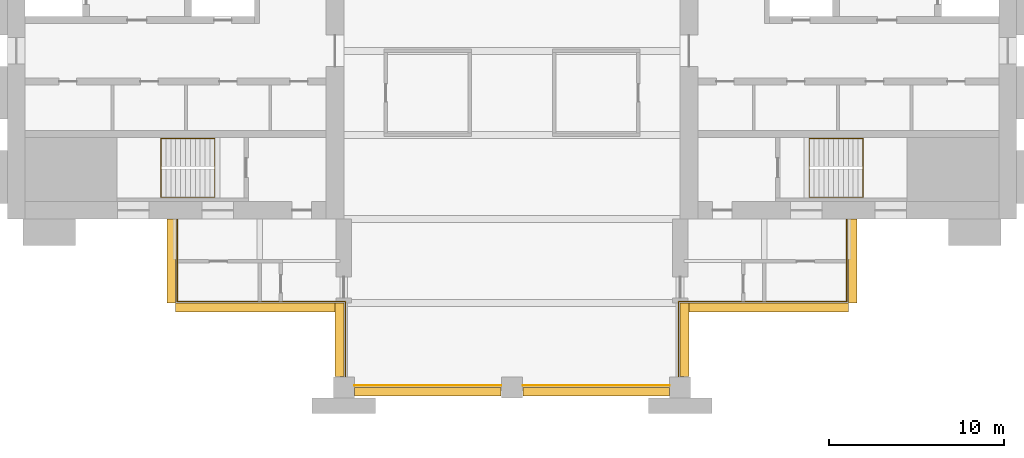
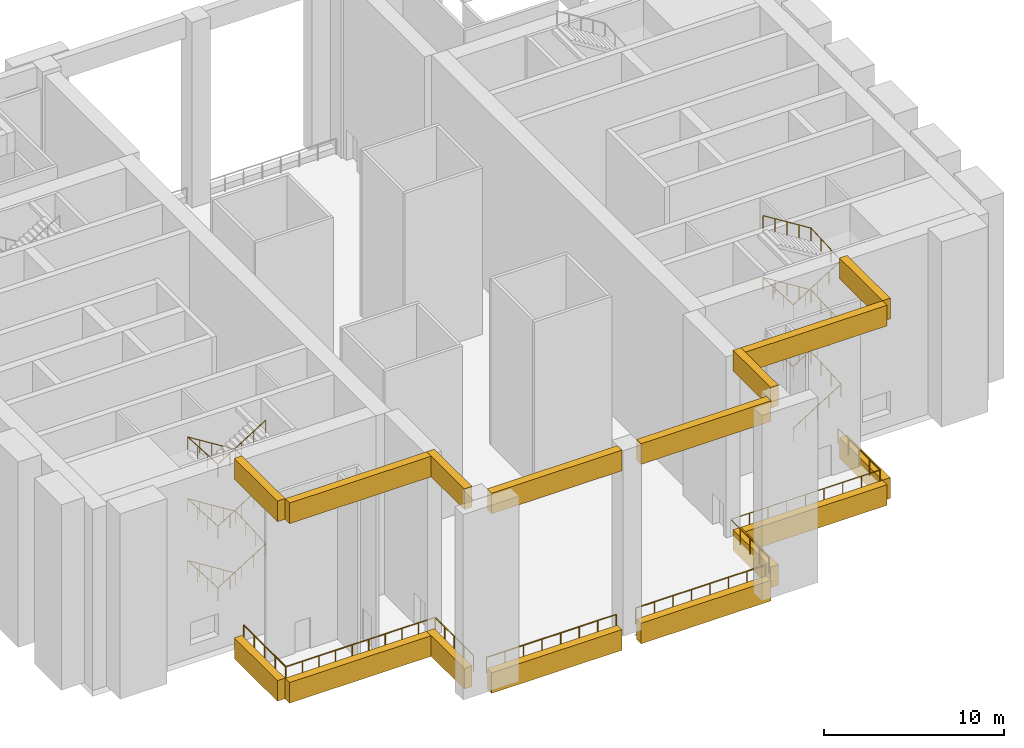
# One storey, part 7 of 9: 16 coverings, 6 railings.
"""IFC4 building model written with IfcOpenShell, lengths in metres."""

import ifcopenshell
import ifcopenshell.guid

model = None  # the IFC model being written
_history = None  # IfcOwnerHistory: only IFC2X3 demands one
_inside = {}  # id of a spatial element -> (the spatial element, [elements in it])
_under = {}  # id of a project, library or spatial element -> (it, [spatial elements below it])
_declared = {}  # id of a project -> (the project, [libraries it declares])
_typed = {}  # id of a type object -> (the type object, [elements of that type])
_made_of = {}  # id of a material, layer set ... -> (it, [elements and type objects made of it])


def new_model(schema):
    """Start an empty IFC model of exactly this schema.

    Asked for "IFC4X3", IfcOpenShell would pick the latest addendum, in which some entities
    have other attributes; the version numbers below select the first issue.
    IFC2X3 requires an IfcOwnerHistory on every rooted entity: one is made here for all.
    """
    global model, _history
    if schema == "IFC4X3":
        model = ifcopenshell.file(schema_version=(4, 3, 0, 0))
    else:
        model = ifcopenshell.file(schema=schema)
    _inside.clear()
    _under.clear()
    _declared.clear()
    _typed.clear()
    _made_of.clear()
    _history = None
    if model.schema == "IFC2X3":
        org = make("IfcOrganization", Name="unknown")
        user = make(
            "IfcPersonAndOrganization",
            ThePerson=make("IfcPerson", FamilyName="unknown"),
            TheOrganization=org,
        )
        app = make(
            "IfcApplication",
            ApplicationDeveloper=org,
            Version="unknown",
            ApplicationFullName="unknown",
            ApplicationIdentifier="unknown",
        )
        _history = make(
            "IfcOwnerHistory",
            OwningUser=user,
            OwningApplication=app,
            ChangeAction="ADDED",
            CreationDate=0,
        )
    return model


def make(cls, **values):
    """One entity of the class cls with the attributes given. An attribute that is None is left unset."""
    return model.create_entity(
        cls, **{name: value for name, value in values.items() if value is not None}
    )


def rooted(cls, **values):
    """An entity with a GlobalId (a new one), such as an element, a storey or a relation."""
    return make(cls, GlobalId=ifcopenshell.guid.new(), OwnerHistory=_history, **values)


def si_unit(unit_type, name, prefix=None):
    """IfcSIUnit, for example si_unit("LENGTHUNIT", "METRE", prefix="MILLI")."""
    return make("IfcSIUnit", UnitType=unit_type, Prefix=prefix, Name=name)


def assignment(units):
    """IfcUnitAssignment: the units of a project."""
    return None if units is None else make("IfcUnitAssignment", Units=units)


def point(xyz):
    """IfcCartesianPoint."""
    return None if xyz is None else make("IfcCartesianPoint", Coordinates=xyz)


def direction(xyz):
    """IfcDirection."""
    return None if xyz is None else make("IfcDirection", DirectionRatios=xyz)


def frame(location, z_axis=None, x_axis=None):
    """IfcAxis2Placement3D, a coordinate frame: its origin and axes. An axis left out is left unset."""
    return make(
        "IfcAxis2Placement3D",
        Location=point(location),
        Axis=direction(z_axis),
        RefDirection=direction(x_axis),
    )


def frame_2d(location, x_axis=None):
    """IfcAxis2Placement2D, a coordinate frame in the plane: its origin and x axis."""
    return make(
        "IfcAxis2Placement2D", Location=point(location), RefDirection=direction(x_axis)
    )


def origin():
    """The frame at (0, 0, 0) with its axes left unset."""
    return frame((0.0, 0.0, 0.0))


def origin_2d():
    """The frame at (0, 0) in the plane with its x axis left unset."""
    return frame_2d((0.0, 0.0))


def place(relative_to, where):
    """IfcLocalPlacement: puts the frame where relative to a parent placement (None: the world)."""
    return make(
        "IfcLocalPlacement", PlacementRelTo=relative_to, RelativePlacement=where
    )


def context(
    kind, dimensions, precision=None, world=None, true_north=None, identifier=None
):
    """IfcGeometricRepresentationContext, for example the 3D "Model" context."""
    return make(
        "IfcGeometricRepresentationContext",
        ContextIdentifier=identifier,
        ContextType=kind,
        CoordinateSpaceDimension=dimensions,
        Precision=precision,
        WorldCoordinateSystem=world,
        TrueNorth=true_north,
    )


def subcontext(parent, identifier, kind, view, scale=None):
    """IfcGeometricRepresentationSubContext, for example "Body" below "Model"."""
    return make(
        "IfcGeometricRepresentationSubContext",
        ContextIdentifier=identifier,
        ContextType=kind,
        ParentContext=parent,
        TargetScale=scale,
        TargetView=view,
    )


def project(units=None, contexts=None):
    """IfcProject with its units and contexts."""
    return rooted(
        "IfcProject",
        Name="project",
        RepresentationContexts=contexts,
        UnitsInContext=assignment(units),
    )


def spatial(cls, under=None, at=None, **own):
    """A site, building, storey or space (cls), placed at a placement, below another one or the project."""
    s = rooted(cls, ObjectPlacement=at, **own)
    if under is not None:
        _under.setdefault(under.id(), (under, []))[1].append(s)
    return s


def polyline(points):
    """IfcPolyline through the points."""
    return make("IfcPolyline", Points=[point(p) for p in points])


def profile(cls, at=None, kind="AREA", **sizes):
    """A parametric profile (cls). Its sizes go by their IFC names, for example OverallWidth=200.0."""
    return make(cls, ProfileType=kind, Position=at, **sizes)


def circle(**sizes):
    """IfcCircleProfileDef."""
    return profile("IfcCircleProfileDef", **sizes)


def outline(outer, holes=None, kind="AREA"):
    """IfcArbitraryClosedProfileDef: a profile drawn as a closed curve; with holes, ...WithVoids."""
    if holes is None:
        return make("IfcArbitraryClosedProfileDef", ProfileType=kind, OuterCurve=outer)
    return make(
        "IfcArbitraryProfileDefWithVoids",
        ProfileType=kind,
        OuterCurve=outer,
        InnerCurves=holes,
    )


def extrude(swept, where, along, depth):
    """IfcExtrudedAreaSolid: the profile swept, set in the frame where, extruded along a direction by depth."""
    return make(
        "IfcExtrudedAreaSolid",
        SweptArea=swept,
        Position=where,
        ExtrudedDirection=direction(along),
        Depth=depth,
    )


def shape(context_of_items, identifier, shape_type, items):
    """IfcShapeRepresentation: the items that make up one representation, for example the "Body"."""
    return make(
        "IfcShapeRepresentation",
        ContextOfItems=context_of_items,
        RepresentationIdentifier=identifier,
        RepresentationType=shape_type,
        Items=items,
    )


def material(Name=None, Category=None):
    """IfcMaterial."""
    return make("IfcMaterial", Name=Name, Category=Category)


def made_of(thing, what):
    """Note that an element or type object is made of a material, layer set ...; save() writes the relation."""
    if what is not None:
        _made_of.setdefault(what.id(), (what, []))[1].append(thing)
    return thing


def type_object(cls, material=None, **own):
    """A type object (cls), such as IfcWallType, which elements share."""
    return made_of(rooted(cls, **own), material)


def element(
    cls,
    number,
    at=None,
    inside=None,
    cuts=None,
    type_object=None,
    material=None,
    context=None,
    identifier="Body",
    shape_type=None,
    held_by="IfcProductDefinitionShape",
    body=None,
    shapes=None,
    **own,
):
    """One element of the class cls, such as IfcWall. Its Tag is "e" and its number.

    at: its placement. inside: the storey or other place that contains it. cuts: it is an
    opening in that element (IfcRelVoidsElement). A single representation is given by context,
    identifier, shape_type and body (its items); several are given by shapes. held_by: the class
    of the entity that holds the representations. save() writes the other relations.
    """
    e = rooted(cls, Tag="e%d" % number, ObjectPlacement=at, **own)
    if body is not None:
        shapes = [shape(context, identifier, shape_type, body)]
    if shapes is not None:
        e.Representation = make(held_by, Representations=shapes)
    if inside is not None:
        _inside.setdefault(inside.id(), (inside, []))[1].append(e)
    if cuts is not None:
        rooted(
            "IfcRelVoidsElement", RelatingBuildingElement=cuts, RelatedOpeningElement=e
        )
    if type_object is not None:
        _typed.setdefault(type_object.id(), (type_object, []))[1].append(e)
    return made_of(e, material)


def aggregate(whole, parts):
    """IfcRelAggregates: a whole, such as a stair, and the parts it consists of."""
    return rooted("IfcRelAggregates", RelatingObject=whole, RelatedObjects=parts)


def save(model, path):
    """Write the relations noted so far, then the file.

    IfcRelAggregates (storeys below a building ...), IfcRelContainedInSpatialStructure (elements
    in a storey), IfcRelDefinesByType, IfcRelAssociatesMaterial and IfcRelDeclares: one each for
    every whole, place, type object, material and project.
    """
    for whole, parts in _under.values():
        aggregate(whole, parts)
    for where, things in _inside.values():
        rooted(
            "IfcRelContainedInSpatialStructure",
            RelatedElements=things,
            RelatingStructure=where,
        )
    for kind, things in _typed.values():
        rooted("IfcRelDefinesByType", RelatedObjects=things, RelatingType=kind)
    for what, things in _made_of.values():
        rooted("IfcRelAssociatesMaterial", RelatedObjects=things, RelatingMaterial=what)
    for by, libraries in _declared.values():
        rooted("IfcRelDeclares", RelatingContext=by, RelatedDefinitions=libraries)
    model.write(path)


model = new_model("IFC4")

# Units and contexts
model_context = context("Model", 3, precision=1e-05, world=origin(), true_north=direction((0.0, 1.0)))
body_context = subcontext(model_context, "Body", "Model", "MODEL_VIEW")
ifc_project = project(units=[si_unit("LENGTHUNIT", "METRE"), si_unit("AREAUNIT", "SQUARE_METRE"), si_unit("VOLUMEUNIT", "CUBIC_METRE"), si_unit("PLANEANGLEUNIT", "RADIAN"), si_unit("MASSUNIT", "GRAM", prefix="KILO")], contexts=[model_context])

# Site, building, storey
site_placement = place(None, origin())
site = spatial("IfcSite", under=ifc_project, at=site_placement, CompositionType="ELEMENT")
building_placement = place(site_placement, origin())
building = spatial("IfcBuilding", under=site, at=building_placement, Name="Baori Bourse Tower", CompositionType="ELEMENT")
storey_placement = place(building_placement, frame((0.0, 0.0, 180.60009765625)))
storey = spatial("IfcBuildingStorey", under=building, at=storey_placement, Name="L40", CompositionType="ELEMENT", Elevation=180.60009765625)

# Railings
ifc_material_1 = material(Name="Powder-coated steel balustrade", Category="steel")
railing_type_1 = type_object("IfcRailingType", Name="Core stair handrail", PredefinedType="HANDRAIL", material=ifc_material_1)
railing_1_placement = place(storey_placement, frame((11.85009765625, 14.199951171875, 0.1748046875)))
element("IfcRailing", 1, at=railing_1_placement, inside=storey, type_object=railing_type_1, Name="L40 ST1 stair handrail 1", PredefinedType="HANDRAIL", context=body_context, shape_type="SweptSolid", body=[
    extrude(circle(Radius=0.02392578125, at=origin_2d()), frame((0.0, 0.0, 0.8759765625), z_axis=(-0.847998304005, 0.0, 0.529998940003), x_axis=(0.0, -1.0, 0.0)), (0.0, 0.0, 1.0), 3.632080078125),
    extrude(circle(Radius=0.02392578125, at=origin_2d()), frame((-3.080078125, 0.0, 2.80078125), z_axis=(0.0, -0.99863746249, 0.052184466191), x_axis=(1.0, 0.0, 0.0)), (0.0, 0.0, 1.0), 3.3544921875),
    extrude(circle(Radius=0.02392578125, at=origin_2d()), frame((-3.080078125, -3.349853515625, 2.97607421875), z_axis=(0.847998304005, 0.0, 0.529998940003), x_axis=(0.0, 1.0, 0.0)), (0.0, 0.0, 1.0), 3.632080078125),
    extrude(circle(Radius=0.02392578125, at=origin_2d()), frame((0.0, -3.349853515625, 4.90087890625), z_axis=(0.0, 0.99863746249, 0.052184466191), x_axis=(-1.0, 0.0, 0.0)), (0.0, 0.0, 1.0), 3.3544921875),
    extrude(circle(Radius=0.02392578125, at=origin_2d()), frame((0.0, 0.0, 5.076171875), z_axis=(-0.848028513186, 0.0, 0.529950602248), x_axis=(0.0, -1.0, 0.0)), (0.0, 0.0, 1.0), 3.632080078125),
    extrude(circle(Radius=0.02392578125, at=origin_2d()), frame((-3.080078125, 0.0, 7.0009765625), z_axis=(0.0, -0.99863746249, 0.052184466191), x_axis=(1.0, 0.0, 0.0)), (0.0, 0.0, 1.0), 3.3544921875),
    extrude(circle(Radius=0.02392578125, at=origin_2d()), frame((-3.080078125, -3.349853515625, 7.17578125), z_axis=(0.847998304005, 0.0, 0.529998940003), x_axis=(0.0, 1.0, 0.0)), (0.0, 0.0, 1.0), 3.632080078125),
    extrude(circle(Radius=0.02392578125, at=origin_2d()), frame((0.0, -3.349853515625, 9.10107421875), z_axis=(0.0, 0.99863746249, 0.052184466191), x_axis=(-1.0, 0.0, 0.0)), (0.0, 0.0, 1.0), 3.3544921875),
    extrude(circle(Radius=0.02392578125, at=origin_2d()), frame((0.0, 0.0, 9.27587890625), z_axis=(-0.847998304005, 0.0, 0.529998940003), x_axis=(0.0, -1.0, 0.0)), (0.0, 0.0, 1.0), 3.632080078125),
    extrude(circle(Radius=0.02392578125, at=origin_2d()), frame((-3.080078125, 0.0, 11.201171875), z_axis=(0.0, -0.998641252765, 0.052111882296), x_axis=(1.0, 0.0, 0.0)), (0.0, 0.0, 1.0), 3.3544921875),
    extrude(circle(Radius=0.02392578125, at=origin_2d()), frame((-3.080078125, -3.349853515625, 11.3759765625), z_axis=(0.847998304005, 0.0, 0.529998940003), x_axis=(0.0, 1.0, 0.0)), (0.0, 0.0, 1.0), 3.632080078125),
    extrude(circle(Radius=0.02099609375, at=origin_2d()), origin(), (0.0, 0.0, 1.0), 0.851806640625),
    extrude(circle(Radius=0.02099609375, at=origin_2d()), frame((-0.77001953125, 0.0, 0.481201171875)), (0.0, 0.0, 1.0), 0.851806640625),
    extrude(circle(Radius=0.02099609375, at=origin_2d()), frame((-1.5400390625, 0.0, 0.96240234375)), (0.0, 0.0, 1.0), 0.851806640625),
    extrude(circle(Radius=0.02099609375, at=origin_2d()), frame((-2.31005859375, 0.0, 1.44384765625)), (0.0, 0.0, 1.0), 0.851806640625),
    extrude(circle(Radius=0.02099609375, at=origin_2d()), frame((-3.080078125, 0.0, 1.925048828125)), (0.0, 0.0, 1.0), 0.851806640625),
    extrude(circle(Radius=0.02099609375, at=origin_2d()), frame((-3.080078125, -1.11669921875, 1.9833984375)), (0.0, 0.0, 1.0), 0.851806640625),
    extrude(circle(Radius=0.02099609375, at=origin_2d()), frame((-3.080078125, -2.233154296875, 2.041748046875)), (0.0, 0.0, 1.0), 0.851806640625),
    extrude(circle(Radius=0.02099609375, at=origin_2d()), frame((-3.080078125, -3.349853515625, 2.10009765625)), (0.0, 0.0, 1.0), 0.851806640625),
    extrude(circle(Radius=0.02099609375, at=origin_2d()), frame((-2.31005859375, -3.349853515625, 2.581298828125)), (0.0, 0.0, 1.0), 0.851806640625),
    extrude(circle(Radius=0.02099609375, at=origin_2d()), frame((-1.5400390625, -3.349853515625, 3.0625)), (0.0, 0.0, 1.0), 0.851806640625),
    extrude(circle(Radius=0.02099609375, at=origin_2d()), frame((-0.77001953125, -3.349853515625, 3.5439453125)), (0.0, 0.0, 1.0), 0.851806640625),
    extrude(circle(Radius=0.02099609375, at=origin_2d()), frame((0.0, -3.349853515625, 4.025146484375)), (0.0, 0.0, 1.0), 0.851806640625),
    extrude(circle(Radius=0.02099609375, at=origin_2d()), frame((0.0, -2.233154296875, 4.08349609375)), (0.0, 0.0, 1.0), 0.851806640625),
    extrude(circle(Radius=0.02099609375, at=origin_2d()), frame((0.0, -1.11669921875, 4.141845703125)), (0.0, 0.0, 1.0), 0.851806640625),
    extrude(circle(Radius=0.02099609375, at=origin_2d()), frame((0.0, 0.0, 4.2001953125)), (0.0, 0.0, 1.0), 0.851806640625),
    extrude(circle(Radius=0.02099609375, at=origin_2d()), frame((-0.77001953125, 0.0, 4.681396484375)), (0.0, 0.0, 1.0), 0.851806640625),
    extrude(circle(Radius=0.02099609375, at=origin_2d()), frame((-1.5400390625, 0.0, 5.16259765625)), (0.0, 0.0, 1.0), 0.851806640625),
    extrude(circle(Radius=0.02099609375, at=origin_2d()), frame((-2.31005859375, 0.0, 5.643798828125)), (0.0, 0.0, 1.0), 0.851806640625),
    extrude(circle(Radius=0.02099609375, at=origin_2d()), frame((-3.080078125, 0.0, 6.125)), (0.0, 0.0, 1.0), 0.851806640625),
    extrude(circle(Radius=0.02099609375, at=origin_2d()), frame((-3.080078125, -1.11669921875, 6.183349609375)), (0.0, 0.0, 1.0), 0.851806640625),
    extrude(circle(Radius=0.02099609375, at=origin_2d()), frame((-3.080078125, -2.233154296875, 6.24169921875)), (0.0, 0.0, 1.0), 0.851806640625),
    extrude(circle(Radius=0.02099609375, at=origin_2d()), frame((-3.080078125, -3.349853515625, 6.300048828125)), (0.0, 0.0, 1.0), 0.851806640625),
    extrude(circle(Radius=0.02099609375, at=origin_2d()), frame((-2.31005859375, -3.349853515625, 6.78125)), (0.0, 0.0, 1.0), 0.851806640625),
    extrude(circle(Radius=0.02099609375, at=origin_2d()), frame((-1.5400390625, -3.349853515625, 7.2626953125)), (0.0, 0.0, 1.0), 0.851806640625),
    extrude(circle(Radius=0.02099609375, at=origin_2d()), frame((-0.77001953125, -3.349853515625, 7.743896484375)), (0.0, 0.0, 1.0), 0.851806640625),
    extrude(circle(Radius=0.02099609375, at=origin_2d()), frame((0.0, -3.349853515625, 8.22509765625)), (0.0, 0.0, 1.0), 0.851806640625),
    extrude(circle(Radius=0.02099609375, at=origin_2d()), frame((0.0, -2.233154296875, 8.283447265625)), (0.0, 0.0, 1.0), 0.851806640625),
    extrude(circle(Radius=0.02099609375, at=origin_2d()), frame((0.0, -1.11669921875, 8.341796875)), (0.0, 0.0, 1.0), 0.851806640625),
    extrude(circle(Radius=0.02099609375, at=origin_2d()), frame((0.0, 0.0, 8.400146484375)), (0.0, 0.0, 1.0), 0.851806640625),
    extrude(circle(Radius=0.02099609375, at=origin_2d()), frame((-0.77001953125, 0.0, 8.88134765625)), (0.0, 0.0, 1.0), 0.851806640625),
    extrude(circle(Radius=0.02099609375, at=origin_2d()), frame((-1.5400390625, 0.0, 9.36279296875)), (0.0, 0.0, 1.0), 0.851806640625),
    extrude(circle(Radius=0.02099609375, at=origin_2d()), frame((-2.31005859375, 0.0, 9.843994140625)), (0.0, 0.0, 1.0), 0.851806640625),
    extrude(circle(Radius=0.02099609375, at=origin_2d()), frame((-3.080078125, 0.0, 10.3251953125)), (0.0, 0.0, 1.0), 0.851806640625),
    extrude(circle(Radius=0.02099609375, at=origin_2d()), frame((-3.080078125, -1.11669921875, 10.383544921875)), (0.0, 0.0, 1.0), 0.851806640625),
    extrude(circle(Radius=0.02099609375, at=origin_2d()), frame((-3.080078125, -2.233154296875, 10.441650390625)), (0.0, 0.0, 1.0), 0.851806640625),
    extrude(circle(Radius=0.02099609375, at=origin_2d()), frame((-3.080078125, -3.349853515625, 10.5)), (0.0, 0.0, 1.0), 0.851806640625),
    extrude(circle(Radius=0.02099609375, at=origin_2d()), frame((-2.31005859375, -3.349853515625, 10.981201171875)), (0.0, 0.0, 1.0), 0.851806640625),
    extrude(circle(Radius=0.02099609375, at=origin_2d()), frame((-1.5400390625, -3.349853515625, 11.46240234375)), (0.0, 0.0, 1.0), 0.851806640625),
    extrude(circle(Radius=0.02099609375, at=origin_2d()), frame((-0.77001953125, -3.349853515625, 11.94384765625)), (0.0, 0.0, 1.0), 0.851806640625),
    extrude(circle(Radius=0.02099609375, at=origin_2d()), frame((0.0, -3.349853515625, 12.425048828125)), (0.0, 0.0, 1.0), 0.851806640625),
])
railing_2_placement = place(storey_placement, frame((45.75, 10.85009765625, 0.1748046875)))
element("IfcRailing", 2, at=railing_2_placement, inside=storey, type_object=railing_type_1, Name="L40 ST3 stair handrail 1", PredefinedType="HANDRAIL", context=body_context, shape_type="SweptSolid", body=[
    extrude(circle(Radius=0.02392578125, at=origin_2d()), frame((0.0, 0.0, 0.8759765625), z_axis=(0.847998304005, 0.0, 0.529998940003), x_axis=(0.0, 1.0, 0.0)), (0.0, 0.0, 1.0), 3.632080078125),
    extrude(circle(Radius=0.02392578125, at=origin_2d()), frame((3.080078125, 0.0, 2.80078125), z_axis=(0.0, 0.99863746249, 0.052184466191), x_axis=(-1.0, 0.0, 0.0)), (0.0, 0.0, 1.0), 3.3544921875),
    extrude(circle(Radius=0.02392578125, at=origin_2d()), frame((3.080078125, 3.349853515625, 2.97607421875), z_axis=(-0.847998304005, 0.0, 0.529998940003), x_axis=(0.0, -1.0, 0.0)), (0.0, 0.0, 1.0), 3.632080078125),
    extrude(circle(Radius=0.02392578125, at=origin_2d()), frame((0.0, 3.349853515625, 4.90087890625), z_axis=(0.0, -0.99863746249, 0.052184466191), x_axis=(1.0, 0.0, 0.0)), (0.0, 0.0, 1.0), 3.3544921875),
    extrude(circle(Radius=0.02392578125, at=origin_2d()), frame((0.0, 0.0, 5.076171875), z_axis=(0.848028513186, 0.0, 0.529950602248), x_axis=(0.0, 1.0, 0.0)), (0.0, 0.0, 1.0), 3.632080078125),
    extrude(circle(Radius=0.02392578125, at=origin_2d()), frame((3.080078125, 0.0, 7.0009765625), z_axis=(0.0, 0.99863746249, 0.052184466191), x_axis=(-1.0, 0.0, 0.0)), (0.0, 0.0, 1.0), 3.3544921875),
    extrude(circle(Radius=0.02392578125, at=origin_2d()), frame((3.080078125, 3.349853515625, 7.17578125), z_axis=(-0.847998304005, 0.0, 0.529998940003), x_axis=(0.0, -1.0, 0.0)), (0.0, 0.0, 1.0), 3.632080078125),
    extrude(circle(Radius=0.02392578125, at=origin_2d()), frame((0.0, 3.349853515625, 9.10107421875), z_axis=(0.0, -0.99863746249, 0.052184466191), x_axis=(1.0, 0.0, 0.0)), (0.0, 0.0, 1.0), 3.3544921875),
    extrude(circle(Radius=0.02392578125, at=origin_2d()), frame((0.0, 0.0, 9.27587890625), z_axis=(0.847998304005, 0.0, 0.529998940003), x_axis=(0.0, 1.0, 0.0)), (0.0, 0.0, 1.0), 3.632080078125),
    extrude(circle(Radius=0.02392578125, at=origin_2d()), frame((3.080078125, 0.0, 11.201171875), z_axis=(0.0, 0.998641252765, 0.052111882296), x_axis=(-1.0, 0.0, 0.0)), (0.0, 0.0, 1.0), 3.3544921875),
    extrude(circle(Radius=0.02392578125, at=origin_2d()), frame((3.080078125, 3.349853515625, 11.3759765625), z_axis=(-0.847998304005, 0.0, 0.529998940003), x_axis=(0.0, -1.0, 0.0)), (0.0, 0.0, 1.0), 3.632080078125),
    extrude(circle(Radius=0.02099609375, at=origin_2d()), origin(), (0.0, 0.0, 1.0), 0.851806640625),
    extrude(circle(Radius=0.02099609375, at=origin_2d()), frame((0.77001953125, 0.0, 0.481201171875)), (0.0, 0.0, 1.0), 0.851806640625),
    extrude(circle(Radius=0.02099609375, at=origin_2d()), frame((1.5400390625, 0.0, 0.96240234375)), (0.0, 0.0, 1.0), 0.851806640625),
    extrude(circle(Radius=0.02099609375, at=origin_2d()), frame((2.31005859375, 0.0, 1.44384765625)), (0.0, 0.0, 1.0), 0.851806640625),
    extrude(circle(Radius=0.02099609375, at=origin_2d()), frame((3.080078125, 0.0, 1.925048828125)), (0.0, 0.0, 1.0), 0.851806640625),
    extrude(circle(Radius=0.02099609375, at=origin_2d()), frame((3.080078125, 1.11669921875, 1.9833984375)), (0.0, 0.0, 1.0), 0.851806640625),
    extrude(circle(Radius=0.02099609375, at=origin_2d()), frame((3.080078125, 2.233154296875, 2.041748046875)), (0.0, 0.0, 1.0), 0.851806640625),
    extrude(circle(Radius=0.02099609375, at=origin_2d()), frame((3.080078125, 3.349853515625, 2.10009765625)), (0.0, 0.0, 1.0), 0.851806640625),
    extrude(circle(Radius=0.02099609375, at=origin_2d()), frame((2.31005859375, 3.349853515625, 2.581298828125)), (0.0, 0.0, 1.0), 0.851806640625),
    extrude(circle(Radius=0.02099609375, at=origin_2d()), frame((1.5400390625, 3.349853515625, 3.0625)), (0.0, 0.0, 1.0), 0.851806640625),
    extrude(circle(Radius=0.02099609375, at=origin_2d()), frame((0.77001953125, 3.349853515625, 3.5439453125)), (0.0, 0.0, 1.0), 0.851806640625),
    extrude(circle(Radius=0.02099609375, at=origin_2d()), frame((0.0, 3.349853515625, 4.025146484375)), (0.0, 0.0, 1.0), 0.851806640625),
    extrude(circle(Radius=0.02099609375, at=origin_2d()), frame((0.0, 2.233154296875, 4.08349609375)), (0.0, 0.0, 1.0), 0.851806640625),
    extrude(circle(Radius=0.02099609375, at=origin_2d()), frame((0.0, 1.11669921875, 4.141845703125)), (0.0, 0.0, 1.0), 0.851806640625),
    extrude(circle(Radius=0.02099609375, at=origin_2d()), frame((0.0, 0.0, 4.2001953125)), (0.0, 0.0, 1.0), 0.851806640625),
    extrude(circle(Radius=0.02099609375, at=origin_2d()), frame((0.77001953125, 0.0, 4.681396484375)), (0.0, 0.0, 1.0), 0.851806640625),
    extrude(circle(Radius=0.02099609375, at=origin_2d()), frame((1.5400390625, 0.0, 5.16259765625)), (0.0, 0.0, 1.0), 0.851806640625),
    extrude(circle(Radius=0.02099609375, at=origin_2d()), frame((2.31005859375, 0.0, 5.643798828125)), (0.0, 0.0, 1.0), 0.851806640625),
    extrude(circle(Radius=0.02099609375, at=origin_2d()), frame((3.080078125, 0.0, 6.125)), (0.0, 0.0, 1.0), 0.851806640625),
    extrude(circle(Radius=0.02099609375, at=origin_2d()), frame((3.080078125, 1.11669921875, 6.183349609375)), (0.0, 0.0, 1.0), 0.851806640625),
    extrude(circle(Radius=0.02099609375, at=origin_2d()), frame((3.080078125, 2.233154296875, 6.24169921875)), (0.0, 0.0, 1.0), 0.851806640625),
    extrude(circle(Radius=0.02099609375, at=origin_2d()), frame((3.080078125, 3.349853515625, 6.300048828125)), (0.0, 0.0, 1.0), 0.851806640625),
    extrude(circle(Radius=0.02099609375, at=origin_2d()), frame((2.31005859375, 3.349853515625, 6.78125)), (0.0, 0.0, 1.0), 0.851806640625),
    extrude(circle(Radius=0.02099609375, at=origin_2d()), frame((1.5400390625, 3.349853515625, 7.2626953125)), (0.0, 0.0, 1.0), 0.851806640625),
    extrude(circle(Radius=0.02099609375, at=origin_2d()), frame((0.77001953125, 3.349853515625, 7.743896484375)), (0.0, 0.0, 1.0), 0.851806640625),
    extrude(circle(Radius=0.02099609375, at=origin_2d()), frame((0.0, 3.349853515625, 8.22509765625)), (0.0, 0.0, 1.0), 0.851806640625),
    extrude(circle(Radius=0.02099609375, at=origin_2d()), frame((0.0, 2.233154296875, 8.283447265625)), (0.0, 0.0, 1.0), 0.851806640625),
    extrude(circle(Radius=0.02099609375, at=origin_2d()), frame((0.0, 1.11669921875, 8.341796875)), (0.0, 0.0, 1.0), 0.851806640625),
    extrude(circle(Radius=0.02099609375, at=origin_2d()), frame((0.0, 0.0, 8.400146484375)), (0.0, 0.0, 1.0), 0.851806640625),
    extrude(circle(Radius=0.02099609375, at=origin_2d()), frame((0.77001953125, 0.0, 8.88134765625)), (0.0, 0.0, 1.0), 0.851806640625),
    extrude(circle(Radius=0.02099609375, at=origin_2d()), frame((1.5400390625, 0.0, 9.36279296875)), (0.0, 0.0, 1.0), 0.851806640625),
    extrude(circle(Radius=0.02099609375, at=origin_2d()), frame((2.31005859375, 0.0, 9.843994140625)), (0.0, 0.0, 1.0), 0.851806640625),
    extrude(circle(Radius=0.02099609375, at=origin_2d()), frame((3.080078125, 0.0, 10.3251953125)), (0.0, 0.0, 1.0), 0.851806640625),
    extrude(circle(Radius=0.02099609375, at=origin_2d()), frame((3.080078125, 1.11669921875, 10.383544921875)), (0.0, 0.0, 1.0), 0.851806640625),
    extrude(circle(Radius=0.02099609375, at=origin_2d()), frame((3.080078125, 2.233154296875, 10.441650390625)), (0.0, 0.0, 1.0), 0.851806640625),
    extrude(circle(Radius=0.02099609375, at=origin_2d()), frame((3.080078125, 3.349853515625, 10.5)), (0.0, 0.0, 1.0), 0.851806640625),
    extrude(circle(Radius=0.02099609375, at=origin_2d()), frame((2.31005859375, 3.349853515625, 10.981201171875)), (0.0, 0.0, 1.0), 0.851806640625),
    extrude(circle(Radius=0.02099609375, at=origin_2d()), frame((1.5400390625, 3.349853515625, 11.46240234375)), (0.0, 0.0, 1.0), 0.851806640625),
    extrude(circle(Radius=0.02099609375, at=origin_2d()), frame((0.77001953125, 3.349853515625, 11.94384765625)), (0.0, 0.0, 1.0), 0.851806640625),
    extrude(circle(Radius=0.02099609375, at=origin_2d()), frame((0.0, 3.349853515625, 12.425048828125)), (0.0, 0.0, 1.0), 0.851806640625),
])

# Coverings
ifc_material_2 = material(Name="Pale anodised aluminium", Category="aluminium")
covering_type = type_object("IfcCoveringType", Name="ED2 Portal fascia band", PredefinedType="CLADDING", material=ifc_material_2)
for number, where, name in (
    (3, (0.0, 0.0, -1.0), "Portal fascia band deck L40 21"),
    (4, (0.0, 0.0, 11.199951171875), "Portal fascia band head L40 22"),
):
    element("IfcCovering", number, at=place(storey_placement, frame(where)), inside=storey, type_object=covering_type, Name=name, PredefinedType="CLADDING", context=body_context, shape_type="SweptSolid", body=[
        extrude(outline(polyline([(9.60009765625, 4.800048828125), (9.60009765625, 9.60009765625), (9.10009765625, 9.60009765625), (9.10009765625, 4.800048828125), (9.60009765625, 4.800048828125)])), origin(), (0.0, 0.0, 1.0), 1.39990234375),
    ])
for number, where, name in (
    (5, (0.0, 0.0, -1.0), "Portal fascia band deck L40 23"),
    (6, (0.0, 0.0, 11.199951171875), "Portal fascia band head L40 24"),
):
    element("IfcCovering", number, at=place(storey_placement, frame(where)), inside=storey, type_object=covering_type, Name=name, PredefinedType="CLADDING", context=body_context, shape_type="SweptSolid", body=[
        extrude(outline(polyline([(19.199951171875, 4.800048828125), (9.60009765625, 4.800048828125), (9.60009765625, 4.300048828125), (19.199951171875, 4.300048828125), (19.199951171875, 4.800048828125)])), origin(), (0.0, 0.0, 1.0), 1.39990234375),
    ])
for number, where, name in (
    (7, (0.0, 0.0, -1.0), "Portal fascia band deck L40 25"),
    (8, (0.0, 0.0, 11.199951171875), "Portal fascia band head L40 26"),
):
    element("IfcCovering", number, at=place(storey_placement, frame(where)), inside=storey, type_object=covering_type, Name=name, PredefinedType="CLADDING", context=body_context, shape_type="SweptSolid", body=[
        extrude(outline(polyline([(19.199951171875, 0.6201171875), (19.199951171875, 4.800048828125), (18.699951171875, 4.800048828125), (18.699951171875, 0.6201171875), (19.199951171875, 0.6201171875)])), origin(), (0.0, 0.0, 1.0), 1.39990234375),
    ])
for number, where, name in (
    (9, (0.0, 0.0, -1.0), "Portal fascia band deck L40 27"),
    (10, (0.0, 0.0, 11.199951171875), "Portal fascia band head L40 28"),
):
    element("IfcCovering", number, at=place(storey_placement, frame(where)), inside=storey, type_object=covering_type, Name=name, PredefinedType="CLADDING", context=body_context, shape_type="SweptSolid", body=[
        extrude(outline(polyline([(28.179931640625, 0.0), (19.820068359375, 0.0), (19.820068359375, -0.5), (28.179931640625, -0.5), (28.179931640625, 0.0)])), origin(), (0.0, 0.0, 1.0), 1.39990234375),
    ])
for number, where, name in (
    (11, (0.0, 0.0, -1.0), "Portal fascia band deck L40 29"),
    (12, (0.0, 0.0, 11.199951171875), "Portal fascia band head L40 30"),
):
    element("IfcCovering", number, at=place(storey_placement, frame(where)), inside=storey, type_object=covering_type, Name=name, PredefinedType="CLADDING", context=body_context, shape_type="SweptSolid", body=[
        extrude(outline(polyline([(37.780029296875, 0.0), (29.419921875, 0.0), (29.419921875, -0.5), (37.780029296875, -0.5), (37.780029296875, 0.0)])), origin(), (0.0, 0.0, 1.0), 1.39990234375),
    ])
for number, where, name in (
    (13, (0.0, 0.0, -1.0), "Portal fascia band deck L40 31"),
    (14, (0.0, 0.0, 11.199951171875), "Portal fascia band head L40 32"),
):
    element("IfcCovering", number, at=place(storey_placement, frame(where)), inside=storey, type_object=covering_type, Name=name, PredefinedType="CLADDING", context=body_context, shape_type="SweptSolid", body=[
        extrude(outline(polyline([(38.39990234375, 4.800048828125), (38.39990234375, 0.6201171875), (38.89990234375, 0.6201171875), (38.89990234375, 4.800048828125), (38.39990234375, 4.800048828125)])), origin(), (0.0, 0.0, 1.0), 1.39990234375),
    ])
for number, where, name in (
    (15, (0.0, 0.0, -1.0), "Portal fascia band deck L40 33"),
    (16, (0.0, 0.0, 11.199951171875), "Portal fascia band head L40 34"),
):
    element("IfcCovering", number, at=place(storey_placement, frame(where)), inside=storey, type_object=covering_type, Name=name, PredefinedType="CLADDING", context=body_context, shape_type="SweptSolid", body=[
        extrude(outline(polyline([(48.0, 4.800048828125), (38.39990234375, 4.800048828125), (38.39990234375, 4.300048828125), (48.0, 4.300048828125), (48.0, 4.800048828125)])), origin(), (0.0, 0.0, 1.0), 1.39990234375),
    ])
for number, where, name in (
    (17, (0.0, 0.0, -1.0), "Portal fascia band deck L40 35"),
    (18, (0.0, 0.0, 11.199951171875), "Portal fascia band head L40 36"),
):
    element("IfcCovering", number, at=place(storey_placement, frame(where)), inside=storey, type_object=covering_type, Name=name, PredefinedType="CLADDING", context=body_context, shape_type="SweptSolid", body=[
        extrude(outline(polyline([(48.0, 9.60009765625), (48.0, 4.800048828125), (48.5, 4.800048828125), (48.5, 9.60009765625), (48.0, 9.60009765625)])), origin(), (0.0, 0.0, 1.0), 1.39990234375),
    ])

# Railings
ifc_material_3 = material(Name="Stainless steel", Category="steel")
railing_type_2 = type_object("IfcRailingType", Name="GD1 Guard", PredefinedType="GUARDRAIL", material=ifc_material_3)
railing_3_placement = place(storey_placement, frame((9.699951171875, 9.570068359375, 0.0)))
element("IfcRailing", 19, at=railing_3_placement, inside=storey, type_object=railing_type_2, Name="Guard sky deck L40 7", PredefinedType="GUARDRAIL", context=body_context, shape_type="SweptSolid", body=[
    extrude(circle(Radius=0.02392578125, at=origin_2d()), frame((0.0, 0.0, 1.076171875), z_axis=(0.0, -1.0, 0.0), x_axis=(1.0, 0.0, 0.0)), (0.0, 0.0, 1.0), 4.670166015625),
    extrude(circle(Radius=0.02392578125, at=origin_2d()), frame((0.0, -4.670166015625, 1.076171875), z_axis=(1.0, 0.0, 0.0), x_axis=(0.0, 1.0, 0.0)), (0.0, 0.0, 1.0), 9.60009765625),
    extrude(circle(Radius=0.02392578125, at=origin_2d()), frame((9.60009765625, -4.670166015625, 1.076171875), z_axis=(0.0, -1.0, 0.0), x_axis=(1.0, 0.0, 0.0)), (0.0, 0.0, 1.0), 4.27001953125),
    extrude(circle(Radius=0.02099609375, at=origin_2d()), origin(), (0.0, 0.0, 1.0), 1.052001953125),
    extrude(circle(Radius=0.02099609375, at=origin_2d()), frame((0.0, -1.16748046875, 0.0)), (0.0, 0.0, 1.0), 1.052001953125),
    extrude(circle(Radius=0.02099609375, at=origin_2d()), frame((0.0, -2.3349609375, 0.0)), (0.0, 0.0, 1.0), 1.052001953125),
    extrude(circle(Radius=0.02099609375, at=origin_2d()), frame((0.0, -3.502685546875, 0.0)), (0.0, 0.0, 1.0), 1.052001953125),
    extrude(circle(Radius=0.02099609375, at=origin_2d()), frame((0.0, -4.670166015625, 0.0)), (0.0, 0.0, 1.0), 1.052001953125),
    extrude(circle(Radius=0.02099609375, at=origin_2d()), frame((1.066650390625, -4.670166015625, 0.0)), (0.0, 0.0, 1.0), 1.052001953125),
    extrude(circle(Radius=0.02099609375, at=origin_2d()), frame((2.13330078125, -4.670166015625, 0.0)), (0.0, 0.0, 1.0), 1.052001953125),
    extrude(circle(Radius=0.02099609375, at=origin_2d()), frame((3.199951171875, -4.670166015625, 0.0)), (0.0, 0.0, 1.0), 1.052001953125),
    extrude(circle(Radius=0.02099609375, at=origin_2d()), frame((4.2666015625, -4.670166015625, 0.0)), (0.0, 0.0, 1.0), 1.052001953125),
    extrude(circle(Radius=0.02099609375, at=origin_2d()), frame((5.33349609375, -4.670166015625, 0.0)), (0.0, 0.0, 1.0), 1.052001953125),
    extrude(circle(Radius=0.02099609375, at=origin_2d()), frame((6.400146484375, -4.670166015625, 0.0)), (0.0, 0.0, 1.0), 1.052001953125),
    extrude(circle(Radius=0.02099609375, at=origin_2d()), frame((7.466796875, -4.670166015625, 0.0)), (0.0, 0.0, 1.0), 1.052001953125),
    extrude(circle(Radius=0.02099609375, at=origin_2d()), frame((8.533447265625, -4.670166015625, 0.0)), (0.0, 0.0, 1.0), 1.052001953125),
    extrude(circle(Radius=0.02099609375, at=origin_2d()), frame((9.60009765625, -4.670166015625, 0.0)), (0.0, 0.0, 1.0), 1.052001953125),
    extrude(circle(Radius=0.02099609375, at=origin_2d()), frame((9.60009765625, -5.73779296875, 0.0)), (0.0, 0.0, 1.0), 1.052001953125),
    extrude(circle(Radius=0.02099609375, at=origin_2d()), frame((9.60009765625, -6.80517578125, 0.0)), (0.0, 0.0, 1.0), 1.052001953125),
    extrude(circle(Radius=0.02099609375, at=origin_2d()), frame((9.60009765625, -7.87255859375, 0.0)), (0.0, 0.0, 1.0), 1.052001953125),
    extrude(circle(Radius=0.02099609375, at=origin_2d()), frame((9.60009765625, -8.940185546875, 0.0)), (0.0, 0.0, 1.0), 1.052001953125),
])
railing_4_placement = place(storey_placement, frame((19.830078125, 0.10009765625, 0.0)))
element("IfcRailing", 20, at=railing_4_placement, inside=storey, type_object=railing_type_2, Name="Guard sky deck L40 8", PredefinedType="GUARDRAIL", context=body_context, shape_type="SweptSolid", body=[
    extrude(circle(Radius=0.02392578125, at=origin_2d()), frame((0.0, 0.0, 1.076171875), z_axis=(1.0, 0.0, 0.0), x_axis=(0.0, 1.0, 0.0)), (0.0, 0.0, 1.0), 8.33984375),
    extrude(circle(Radius=0.02099609375, at=origin_2d()), origin(), (0.0, 0.0, 1.0), 1.052001953125),
    extrude(circle(Radius=0.02099609375, at=origin_2d()), frame((1.19140625, 0.0, 0.0)), (0.0, 0.0, 1.0), 1.052001953125),
    extrude(circle(Radius=0.02099609375, at=origin_2d()), frame((2.3828125, 0.0, 0.0)), (0.0, 0.0, 1.0), 1.052001953125),
    extrude(circle(Radius=0.02099609375, at=origin_2d()), frame((3.57421875, 0.0, 0.0)), (0.0, 0.0, 1.0), 1.052001953125),
    extrude(circle(Radius=0.02099609375, at=origin_2d()), frame((4.765625, 0.0, 0.0)), (0.0, 0.0, 1.0), 1.052001953125),
    extrude(circle(Radius=0.02099609375, at=origin_2d()), frame((5.95703125, 0.0, 0.0)), (0.0, 0.0, 1.0), 1.052001953125),
    extrude(circle(Radius=0.02099609375, at=origin_2d()), frame((7.1484375, 0.0, 0.0)), (0.0, 0.0, 1.0), 1.052001953125),
    extrude(circle(Radius=0.02099609375, at=origin_2d()), frame((8.33984375, 0.0, 0.0)), (0.0, 0.0, 1.0), 1.052001953125),
])
railing_5_placement = place(storey_placement, frame((29.429931640625, 0.10009765625, 0.0)))
element("IfcRailing", 21, at=railing_5_placement, inside=storey, type_object=railing_type_2, Name="Guard sky deck L40 9", PredefinedType="GUARDRAIL", context=body_context, shape_type="SweptSolid", body=[
    extrude(circle(Radius=0.02392578125, at=origin_2d()), frame((0.0, 0.0, 1.076171875), z_axis=(1.0, 0.0, 0.0), x_axis=(0.0, 1.0, 0.0)), (0.0, 0.0, 1.0), 8.340087890625),
    extrude(circle(Radius=0.02099609375, at=origin_2d()), origin(), (0.0, 0.0, 1.0), 1.052001953125),
    extrude(circle(Radius=0.02099609375, at=origin_2d()), frame((1.19140625, 0.0, 0.0)), (0.0, 0.0, 1.0), 1.052001953125),
    extrude(circle(Radius=0.02099609375, at=origin_2d()), frame((2.3828125, 0.0, 0.0)), (0.0, 0.0, 1.0), 1.052001953125),
    extrude(circle(Radius=0.02099609375, at=origin_2d()), frame((3.57421875, 0.0, 0.0)), (0.0, 0.0, 1.0), 1.052001953125),
    extrude(circle(Radius=0.02099609375, at=origin_2d()), frame((4.765869140625, 0.0, 0.0)), (0.0, 0.0, 1.0), 1.052001953125),
    extrude(circle(Radius=0.02099609375, at=origin_2d()), frame((5.957275390625, 0.0, 0.0)), (0.0, 0.0, 1.0), 1.052001953125),
    extrude(circle(Radius=0.02099609375, at=origin_2d()), frame((7.148681640625, 0.0, 0.0)), (0.0, 0.0, 1.0), 1.052001953125),
    extrude(circle(Radius=0.02099609375, at=origin_2d()), frame((8.340087890625, 0.0, 0.0)), (0.0, 0.0, 1.0), 1.052001953125),
])
railing_6_placement = place(storey_placement, frame((38.300048828125, 0.6298828125, 0.0)))
element("IfcRailing", 22, at=railing_6_placement, inside=storey, type_object=railing_type_2, Name="Guard sky deck L40 10", PredefinedType="GUARDRAIL", context=body_context, shape_type="SweptSolid", body=[
    extrude(circle(Radius=0.02392578125, at=origin_2d()), frame((0.0, 0.0, 1.076171875), z_axis=(0.0, 1.0, 0.0), x_axis=(-1.0, 0.0, 0.0)), (0.0, 0.0, 1.0), 4.27001953125),
    extrude(circle(Radius=0.02392578125, at=origin_2d()), frame((0.0, 4.27001953125, 1.076171875), z_axis=(1.0, 0.0, 0.0), x_axis=(0.0, 1.0, 0.0)), (0.0, 0.0, 1.0), 9.599853515625),
    extrude(circle(Radius=0.02392578125, at=origin_2d()), frame((9.599853515625, 4.27001953125, 1.076171875), z_axis=(0.0, 1.0, 0.0), x_axis=(-1.0, 0.0, 0.0)), (0.0, 0.0, 1.0), 4.670166015625),
    extrude(circle(Radius=0.02099609375, at=origin_2d()), origin(), (0.0, 0.0, 1.0), 1.052001953125),
    extrude(circle(Radius=0.02099609375, at=origin_2d()), frame((0.0, 1.0673828125, 0.0)), (0.0, 0.0, 1.0), 1.052001953125),
    extrude(circle(Radius=0.02099609375, at=origin_2d()), frame((0.0, 2.135009765625, 0.0)), (0.0, 0.0, 1.0), 1.052001953125),
    extrude(circle(Radius=0.02099609375, at=origin_2d()), frame((0.0, 3.20263671875, 0.0)), (0.0, 0.0, 1.0), 1.052001953125),
    extrude(circle(Radius=0.02099609375, at=origin_2d()), frame((0.0, 4.27001953125, 0.0)), (0.0, 0.0, 1.0), 1.052001953125),
    extrude(circle(Radius=0.02099609375, at=origin_2d()), frame((1.199951171875, 4.27001953125, 0.0)), (0.0, 0.0, 1.0), 1.052001953125),
    extrude(circle(Radius=0.02099609375, at=origin_2d()), frame((2.39990234375, 4.27001953125, 0.0)), (0.0, 0.0, 1.0), 1.052001953125),
    extrude(circle(Radius=0.02099609375, at=origin_2d()), frame((3.599853515625, 4.27001953125, 0.0)), (0.0, 0.0, 1.0), 1.052001953125),
    extrude(circle(Radius=0.02099609375, at=origin_2d()), frame((4.7998046875, 4.27001953125, 0.0)), (0.0, 0.0, 1.0), 1.052001953125),
    extrude(circle(Radius=0.02099609375, at=origin_2d()), frame((6.0, 4.27001953125, 0.0)), (0.0, 0.0, 1.0), 1.052001953125),
    extrude(circle(Radius=0.02099609375, at=origin_2d()), frame((7.199951171875, 4.27001953125, 0.0)), (0.0, 0.0, 1.0), 1.052001953125),
    extrude(circle(Radius=0.02099609375, at=origin_2d()), frame((8.39990234375, 4.27001953125, 0.0)), (0.0, 0.0, 1.0), 1.052001953125),
    extrude(circle(Radius=0.02099609375, at=origin_2d()), frame((9.599853515625, 4.27001953125, 0.0)), (0.0, 0.0, 1.0), 1.052001953125),
    extrude(circle(Radius=0.02099609375, at=origin_2d()), frame((9.599853515625, 5.4375, 0.0)), (0.0, 0.0, 1.0), 1.052001953125),
    extrude(circle(Radius=0.02099609375, at=origin_2d()), frame((9.599853515625, 6.60498046875, 0.0)), (0.0, 0.0, 1.0), 1.052001953125),
    extrude(circle(Radius=0.02099609375, at=origin_2d()), frame((9.599853515625, 7.772705078125, 0.0)), (0.0, 0.0, 1.0), 1.052001953125),
    extrude(circle(Radius=0.02099609375, at=origin_2d()), frame((9.599853515625, 8.940185546875, 0.0)), (0.0, 0.0, 1.0), 1.052001953125),
])

save(model, "model.ifc")
